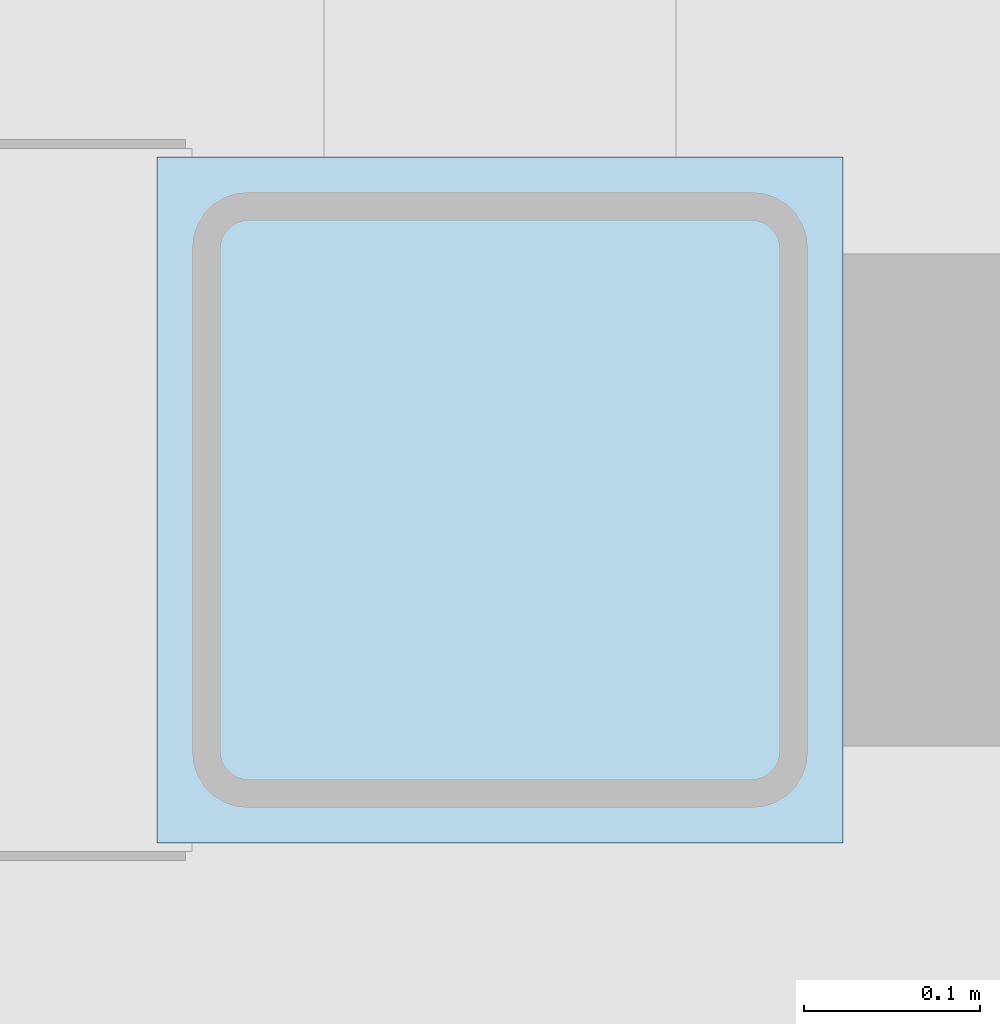
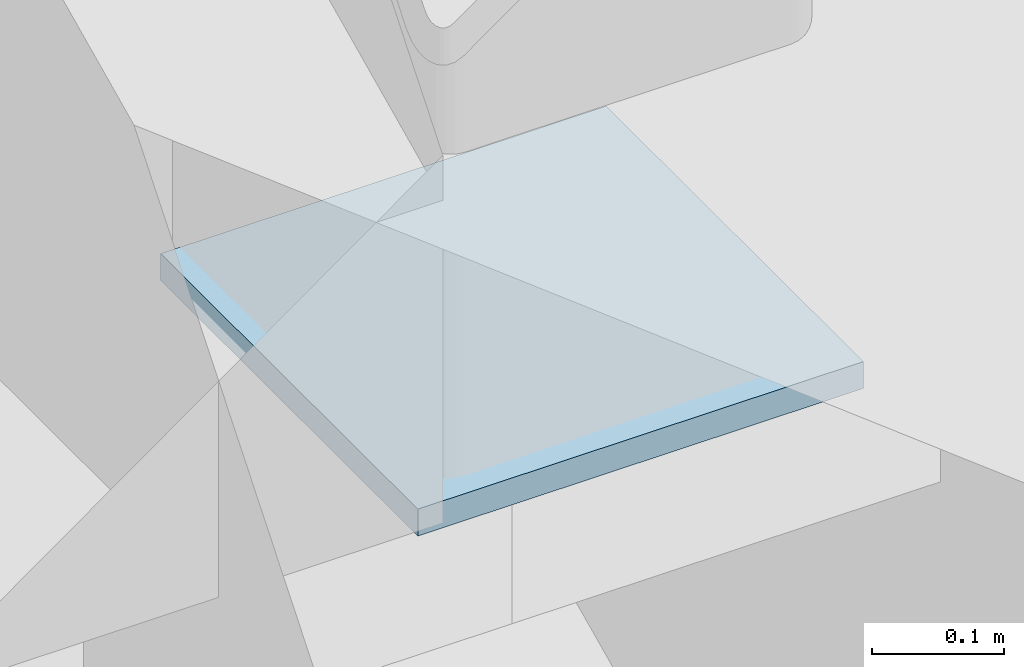
# One storey, part 79 of 128: 1 plate.
"""IFC4 building model written with IfcOpenShell, lengths in metres."""

from ifc_helpers import new_model, si_unit, direction, frame, origin, origin_2d, place, context, subcontext, project, spatial, rectangle, extrude, material, layer, layer_set, type_object, element, save


model = new_model("IFC4")

# Units and contexts
model_context = context("Model", 3, precision=1e-05, world=origin(), true_north=direction((0.0, 1.0)))
body_context = subcontext(model_context, "Body", "Model", "MODEL_VIEW")
ifc_project = project(units=[si_unit("LENGTHUNIT", "METRE"), si_unit("AREAUNIT", "SQUARE_METRE"), si_unit("VOLUMEUNIT", "CUBIC_METRE"), si_unit("PLANEANGLEUNIT", "RADIAN"), si_unit("MASSUNIT", "GRAM", prefix="KILO")], contexts=[model_context])

# Site, building, storey
site_placement = place(None, origin())
site = spatial("IfcSite", under=ifc_project, at=site_placement, CompositionType="ELEMENT")
building_placement = place(site_placement, origin())
building = spatial("IfcBuilding", under=site, at=building_placement, Name="Kazenohara Klinker Stadium", CompositionType="ELEMENT")
storey_placement = place(building_placement, frame((0.0, 0.0, 15.300048828125)))
storey = spatial("IfcBuildingStorey", under=building, at=storey_placement, Name="L03", CompositionType="ELEMENT", Elevation=15.300048828125)

# Plate
ifc_material = material(Name="Steel S355", Category="steel")
ifc_layer = layer(ifc_material, 0.02490234375)
ifc_layer_set = layer_set([ifc_layer], Name="Steel S355")
plate_type = type_object("IfcPlateType", Name="PLT-GP04", PredefinedType="USERDEFINED", material=ifc_layer_set)
plate_placement = place(storey_placement, frame((99.0, 132.0, -0.012451171875), z_axis=(0.0, 0.0, 1.0), x_axis=(1.0, 0.0, 0.0)))
element("IfcPlate", 1, at=plate_placement, inside=storey, type_object=plate_type, Name="Hollow column end-cap plate GP04 L03 9/M", ObjectType="GUSSET PLATE", PredefinedType="USERDEFINED", context=body_context, shape_type="SweptSolid", body=[
    extrude(rectangle(XDim=0.389892578125, YDim=0.389892578125, at=origin_2d()), origin(), (0.0, 0.0, 1.0), 0.02490234375),
])

save(model, "model.ifc")
